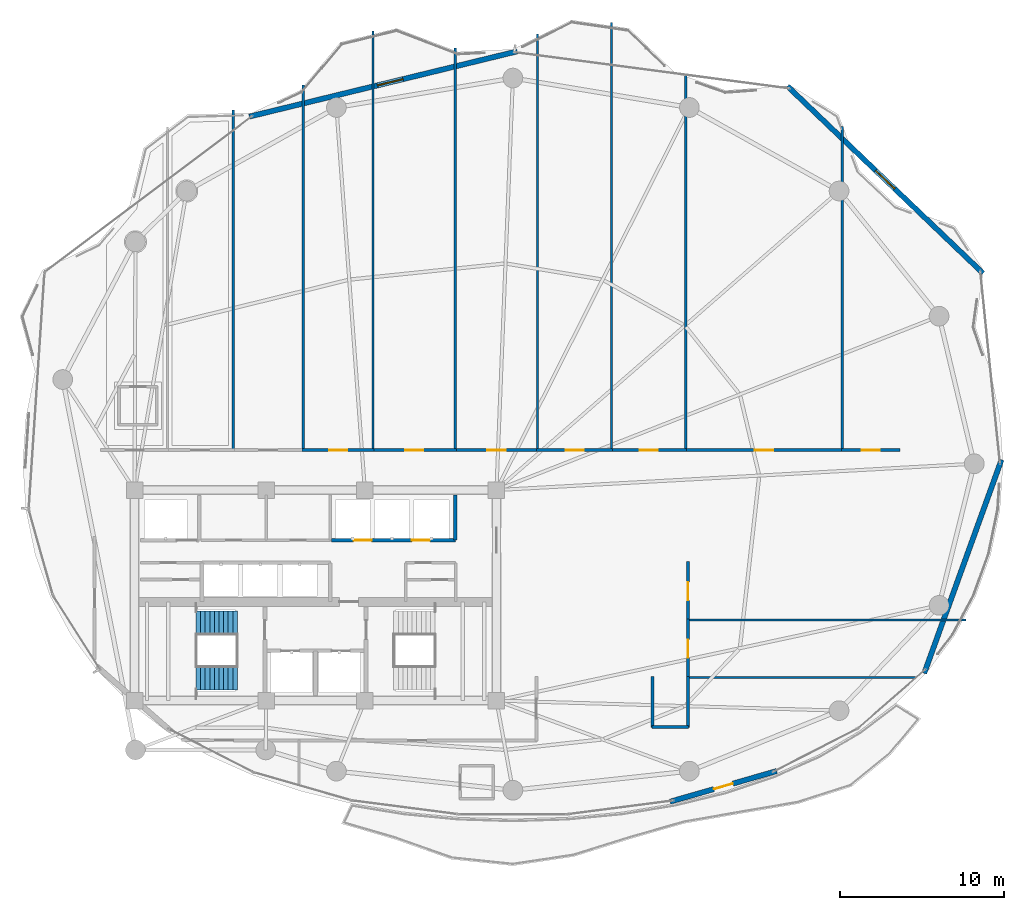
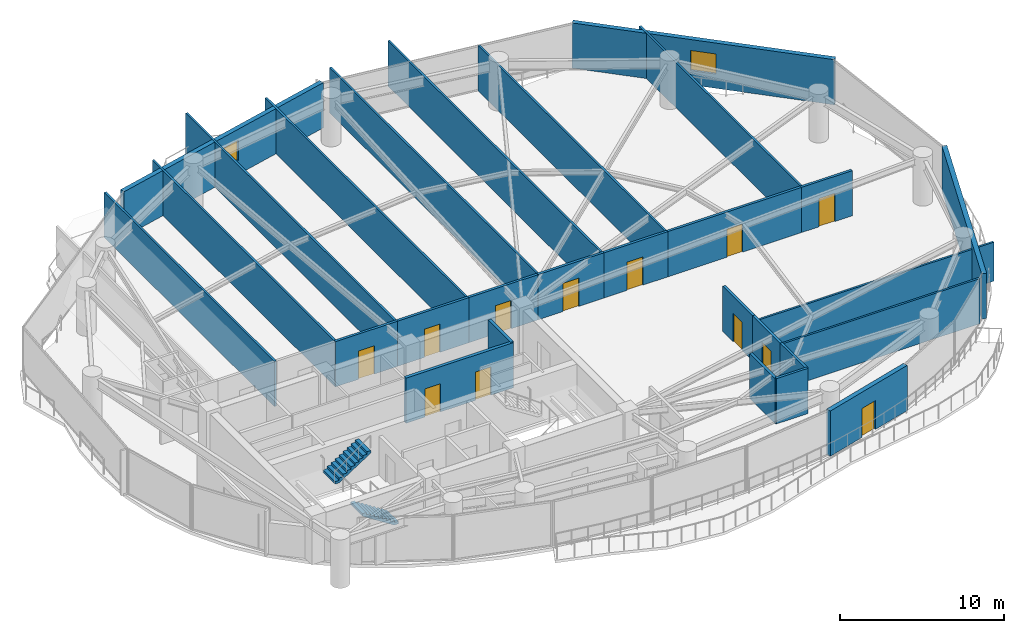
# One storey, part 26 of 30: 28 walls, 12 doors, 2 stair flights, 2 windows, 14 openings, 1 element without a shape of its own.
"""IFC4 building model written with IfcOpenShell, lengths in metres."""

import ifcopenshell
import ifcopenshell.guid

model = None  # the IFC model being written
_history = None  # IfcOwnerHistory: only IFC2X3 demands one
_inside = {}  # id of a spatial element -> (the spatial element, [elements in it])
_under = {}  # id of a project, library or spatial element -> (it, [spatial elements below it])
_declared = {}  # id of a project -> (the project, [libraries it declares])
_typed = {}  # id of a type object -> (the type object, [elements of that type])
_made_of = {}  # id of a material, layer set ... -> (it, [elements and type objects made of it])


def new_model(schema):
    """Start an empty IFC model of exactly this schema.

    Asked for "IFC4X3", IfcOpenShell would pick the latest addendum, in which some entities
    have other attributes; the version numbers below select the first issue.
    IFC2X3 requires an IfcOwnerHistory on every rooted entity: one is made here for all.
    """
    global model, _history
    if schema == "IFC4X3":
        model = ifcopenshell.file(schema_version=(4, 3, 0, 0))
    else:
        model = ifcopenshell.file(schema=schema)
    _inside.clear()
    _under.clear()
    _declared.clear()
    _typed.clear()
    _made_of.clear()
    _history = None
    if model.schema == "IFC2X3":
        org = make("IfcOrganization", Name="unknown")
        user = make(
            "IfcPersonAndOrganization",
            ThePerson=make("IfcPerson", FamilyName="unknown"),
            TheOrganization=org,
        )
        app = make(
            "IfcApplication",
            ApplicationDeveloper=org,
            Version="unknown",
            ApplicationFullName="unknown",
            ApplicationIdentifier="unknown",
        )
        _history = make(
            "IfcOwnerHistory",
            OwningUser=user,
            OwningApplication=app,
            ChangeAction="ADDED",
            CreationDate=0,
        )
    return model


def make(cls, **values):
    """One entity of the class cls with the attributes given. An attribute that is None is left unset."""
    return model.create_entity(
        cls, **{name: value for name, value in values.items() if value is not None}
    )


def rooted(cls, **values):
    """An entity with a GlobalId (a new one), such as an element, a storey or a relation."""
    return make(cls, GlobalId=ifcopenshell.guid.new(), OwnerHistory=_history, **values)


def si_unit(unit_type, name, prefix=None):
    """IfcSIUnit, for example si_unit("LENGTHUNIT", "METRE", prefix="MILLI")."""
    return make("IfcSIUnit", UnitType=unit_type, Prefix=prefix, Name=name)


def assignment(units):
    """IfcUnitAssignment: the units of a project."""
    return None if units is None else make("IfcUnitAssignment", Units=units)


def point(xyz):
    """IfcCartesianPoint."""
    return None if xyz is None else make("IfcCartesianPoint", Coordinates=xyz)


def direction(xyz):
    """IfcDirection."""
    return None if xyz is None else make("IfcDirection", DirectionRatios=xyz)


def frame(location, z_axis=None, x_axis=None):
    """IfcAxis2Placement3D, a coordinate frame: its origin and axes. An axis left out is left unset."""
    return make(
        "IfcAxis2Placement3D",
        Location=point(location),
        Axis=direction(z_axis),
        RefDirection=direction(x_axis),
    )


def frame_2d(location, x_axis=None):
    """IfcAxis2Placement2D, a coordinate frame in the plane: its origin and x axis."""
    return make(
        "IfcAxis2Placement2D", Location=point(location), RefDirection=direction(x_axis)
    )


def origin():
    """The frame at (0, 0, 0) with its axes left unset."""
    return frame((0.0, 0.0, 0.0))


def place(relative_to, where):
    """IfcLocalPlacement: puts the frame where relative to a parent placement (None: the world)."""
    return make(
        "IfcLocalPlacement", PlacementRelTo=relative_to, RelativePlacement=where
    )


def context(
    kind, dimensions, precision=None, world=None, true_north=None, identifier=None
):
    """IfcGeometricRepresentationContext, for example the 3D "Model" context."""
    return make(
        "IfcGeometricRepresentationContext",
        ContextIdentifier=identifier,
        ContextType=kind,
        CoordinateSpaceDimension=dimensions,
        Precision=precision,
        WorldCoordinateSystem=world,
        TrueNorth=true_north,
    )


def subcontext(parent, identifier, kind, view, scale=None):
    """IfcGeometricRepresentationSubContext, for example "Body" below "Model"."""
    return make(
        "IfcGeometricRepresentationSubContext",
        ContextIdentifier=identifier,
        ContextType=kind,
        ParentContext=parent,
        TargetScale=scale,
        TargetView=view,
    )


def project(units=None, contexts=None):
    """IfcProject with its units and contexts."""
    return rooted(
        "IfcProject",
        Name="project",
        RepresentationContexts=contexts,
        UnitsInContext=assignment(units),
    )


def spatial(cls, under=None, at=None, **own):
    """A site, building, storey or space (cls), placed at a placement, below another one or the project."""
    s = rooted(cls, ObjectPlacement=at, **own)
    if under is not None:
        _under.setdefault(under.id(), (under, []))[1].append(s)
    return s


def polyline(points):
    """IfcPolyline through the points."""
    return make("IfcPolyline", Points=[point(p) for p in points])


def profile(cls, at=None, kind="AREA", **sizes):
    """A parametric profile (cls). Its sizes go by their IFC names, for example OverallWidth=200.0."""
    return make(cls, ProfileType=kind, Position=at, **sizes)


def rectangle(**sizes):
    """IfcRectangleProfileDef."""
    return profile("IfcRectangleProfileDef", **sizes)


def outline(outer, holes=None, kind="AREA"):
    """IfcArbitraryClosedProfileDef: a profile drawn as a closed curve; with holes, ...WithVoids."""
    if holes is None:
        return make("IfcArbitraryClosedProfileDef", ProfileType=kind, OuterCurve=outer)
    return make(
        "IfcArbitraryProfileDefWithVoids",
        ProfileType=kind,
        OuterCurve=outer,
        InnerCurves=holes,
    )


def extrude(swept, where, along, depth):
    """IfcExtrudedAreaSolid: the profile swept, set in the frame where, extruded along a direction by depth."""
    return make(
        "IfcExtrudedAreaSolid",
        SweptArea=swept,
        Position=where,
        ExtrudedDirection=direction(along),
        Depth=depth,
    )


def shape(context_of_items, identifier, shape_type, items):
    """IfcShapeRepresentation: the items that make up one representation, for example the "Body"."""
    return make(
        "IfcShapeRepresentation",
        ContextOfItems=context_of_items,
        RepresentationIdentifier=identifier,
        RepresentationType=shape_type,
        Items=items,
    )


def material(Name=None, Category=None):
    """IfcMaterial."""
    return make("IfcMaterial", Name=Name, Category=Category)


def layer(
    of_material, thickness, ventilated=None, Name=None, Category=None, Priority=None
):
    """IfcMaterialLayer: one layer of a wall or slab, of a material (None: an air gap)."""
    return make(
        "IfcMaterialLayer",
        Material=of_material,
        LayerThickness=thickness,
        IsVentilated=ventilated,
        Name=Name,
        Category=Category,
        Priority=Priority,
    )


def layer_set(layers, Name=None):
    """IfcMaterialLayerSet."""
    return make("IfcMaterialLayerSet", MaterialLayers=layers, LayerSetName=Name)


def made_of(thing, what):
    """Note that an element or type object is made of a material, layer set ...; save() writes the relation."""
    if what is not None:
        _made_of.setdefault(what.id(), (what, []))[1].append(thing)
    return thing


def type_object(cls, material=None, **own):
    """A type object (cls), such as IfcWallType, which elements share."""
    return made_of(rooted(cls, **own), material)


def element(
    cls,
    number,
    at=None,
    inside=None,
    cuts=None,
    type_object=None,
    material=None,
    context=None,
    identifier="Body",
    shape_type=None,
    held_by="IfcProductDefinitionShape",
    body=None,
    shapes=None,
    **own,
):
    """One element of the class cls, such as IfcWall. Its Tag is "e" and its number.

    at: its placement. inside: the storey or other place that contains it. cuts: it is an
    opening in that element (IfcRelVoidsElement). A single representation is given by context,
    identifier, shape_type and body (its items); several are given by shapes. held_by: the class
    of the entity that holds the representations. save() writes the other relations.
    """
    e = rooted(cls, Tag="e%d" % number, ObjectPlacement=at, **own)
    if body is not None:
        shapes = [shape(context, identifier, shape_type, body)]
    if shapes is not None:
        e.Representation = make(held_by, Representations=shapes)
    if inside is not None:
        _inside.setdefault(inside.id(), (inside, []))[1].append(e)
    if cuts is not None:
        rooted(
            "IfcRelVoidsElement", RelatingBuildingElement=cuts, RelatedOpeningElement=e
        )
    if type_object is not None:
        _typed.setdefault(type_object.id(), (type_object, []))[1].append(e)
    return made_of(e, material)


def fill(opening, filler):
    """IfcRelFillsElement: the door or window that sits in an opening."""
    return rooted(
        "IfcRelFillsElement",
        RelatingOpeningElement=opening,
        RelatedBuildingElement=filler,
    )


def aggregate(whole, parts):
    """IfcRelAggregates: a whole, such as a stair, and the parts it consists of."""
    return rooted("IfcRelAggregates", RelatingObject=whole, RelatedObjects=parts)


def save(model, path):
    """Write the relations noted so far, then the file.

    IfcRelAggregates (storeys below a building ...), IfcRelContainedInSpatialStructure (elements
    in a storey), IfcRelDefinesByType, IfcRelAssociatesMaterial and IfcRelDeclares: one each for
    every whole, place, type object, material and project.
    """
    for whole, parts in _under.values():
        aggregate(whole, parts)
    for where, things in _inside.values():
        rooted(
            "IfcRelContainedInSpatialStructure",
            RelatedElements=things,
            RelatingStructure=where,
        )
    for kind, things in _typed.values():
        rooted("IfcRelDefinesByType", RelatedObjects=things, RelatingType=kind)
    for what, things in _made_of.values():
        rooted("IfcRelAssociatesMaterial", RelatedObjects=things, RelatingMaterial=what)
    for by, libraries in _declared.values():
        rooted("IfcRelDeclares", RelatingContext=by, RelatedDefinitions=libraries)
    model.write(path)


model = new_model("IFC4")

# Units and contexts
model_context = context("Model", 3, precision=1e-05, world=origin(), true_north=direction((0.0, 1.0)))
body_context = subcontext(model_context, "Body", "Model", "MODEL_VIEW")
ifc_project = project(units=[si_unit("LENGTHUNIT", "METRE"), si_unit("AREAUNIT", "SQUARE_METRE"), si_unit("VOLUMEUNIT", "CUBIC_METRE"), si_unit("PLANEANGLEUNIT", "RADIAN"), si_unit("MASSUNIT", "GRAM", prefix="KILO")], contexts=[model_context])

# Site, building, storey
site_placement = place(None, origin())
site = spatial("IfcSite", under=ifc_project, at=site_placement, CompositionType="ELEMENT")
building_placement = place(site_placement, origin())
building = spatial("IfcBuilding", under=site, at=building_placement, Name="Kazevale Care Tower and Concert Hall", CompositionType="ELEMENT")
storey_placement = place(building_placement, frame((0.0, 0.0, 113.39990234375)))
storey = spatial("IfcBuildingStorey", under=building, at=storey_placement, Name="L29", CompositionType="ELEMENT", Elevation=113.39990234375)

# Walls
ifc_material_1 = material(Name="Acoustic Gypsum on Steel Stud", Category="steel")
ifc_layer_1 = layer(ifc_material_1, 0.139892578125)
ifc_layer_set_1 = layer_set([ifc_layer_1], Name="Acoustic Gypsum on Steel Stud")
wall_type_1 = type_object("IfcWallType", Name="Acoustic Care & Suite Partition 140", PredefinedType="PARTITIONING", material=ifc_layer_set_1)
wall_1_placement = place(storey_placement, frame((28.0, 59.5048828125, 0.0), z_axis=(0.0, 0.0, 1.0), x_axis=(0.0, -1.0, 0.0)))
element("IfcWall", 1, at=wall_1_placement, inside=storey, type_object=wall_type_1, Name="wall:L29:auto_021", PredefinedType="PARTITIONING", context=body_context, shape_type="SweptSolid", body=[
    extrude(rectangle(XDim=20.7099609375, YDim=0.139892578125, at=frame_2d((10.35498046875, 0.0))), origin(), (0.0, 0.0, 1.0), 3.360107421875),
])
wall_2_placement = place(storey_placement, frame((32.25, 61.01904296875, 0.0), z_axis=(0.0, 0.0, 1.0), x_axis=(0.0, -1.0, 0.0)))
element("IfcWall", 2, at=wall_2_placement, inside=storey, type_object=wall_type_1, Name="wall:L29:auto_022", PredefinedType="PARTITIONING", context=body_context, shape_type="SweptSolid", body=[
    extrude(rectangle(XDim=22.22412109375, YDim=0.139892578125, at=frame_2d((11.112060546875, 0.0))), origin(), (0.0, 0.0, 1.0), 3.360107421875),
])
wall_3_placement = place(storey_placement, frame((36.5, 64.31005859375, 0.0), z_axis=(0.0, 0.0, 1.0), x_axis=(0.0, -1.0, 0.0)))
element("IfcWall", 3, at=wall_3_placement, inside=storey, type_object=wall_type_1, Name="wall:L29:auto_023", PredefinedType="PARTITIONING", context=body_context, shape_type="SweptSolid", body=[
    extrude(rectangle(XDim=25.51513671875, YDim=0.139892578125, at=frame_2d((12.757568359375, 0.0))), origin(), (0.0, 0.0, 1.0), 3.360107421875),
])
wall_4_placement = place(storey_placement, frame((41.5, 63.291015625, 0.0), z_axis=(0.0, 0.0, 1.0), x_axis=(0.0, -1.0, 0.0)))
element("IfcWall", 4, at=wall_4_placement, inside=storey, type_object=wall_type_1, Name="wall:L29:auto_024", PredefinedType="PARTITIONING", context=body_context, shape_type="SweptSolid", body=[
    extrude(rectangle(XDim=24.49609375, YDim=0.139892578125, at=frame_2d((12.248046875, 0.0))), origin(), (0.0, 0.0, 1.0), 3.360107421875),
])
wall_5_placement = place(storey_placement, frame((46.5, 64.12890625, 0.0), z_axis=(0.0, 0.0, 1.0), x_axis=(0.0, -1.0, 0.0)))
element("IfcWall", 5, at=wall_5_placement, inside=storey, type_object=wall_type_1, Name="wall:L29:auto_025", PredefinedType="PARTITIONING", context=body_context, shape_type="SweptSolid", body=[
    extrude(rectangle(XDim=25.333984375, YDim=0.139892578125, at=frame_2d((12.6669921875, 0.0))), origin(), (0.0, 0.0, 1.0), 3.360107421875),
])
wall_6_placement = place(storey_placement, frame((51.0, 64.822021484375, 0.0), z_axis=(0.0, 0.0, 1.0), x_axis=(0.0, -1.0, 0.0)))
element("IfcWall", 6, at=wall_6_placement, inside=storey, type_object=wall_type_1, Name="wall:L29:auto_026", PredefinedType="PARTITIONING", context=body_context, shape_type="SweptSolid", body=[
    extrude(rectangle(XDim=26.027099609375, YDim=0.139892578125, at=frame_2d((13.013671875, 0.0))), origin(), (0.0, 0.0, 1.0), 3.360107421875),
])
wall_7_placement = place(storey_placement, frame((55.5, 61.6328125, 0.0), z_axis=(0.0, 0.0, 1.0), x_axis=(0.0, -1.0, 0.0)))
element("IfcWall", 7, at=wall_7_placement, inside=storey, type_object=wall_type_1, Name="wall:L29:auto_027", PredefinedType="PARTITIONING", context=body_context, shape_type="SweptSolid", body=[
    extrude(rectangle(XDim=22.837890625, YDim=0.139892578125, at=frame_2d((11.4189453125, 0.0))), origin(), (0.0, 0.0, 1.0), 3.360107421875),
])
wall_8_placement = place(storey_placement, frame((65.01708984375, 58.5009765625, 0.0), z_axis=(0.0, 0.0, 1.0), x_axis=(0.000656623081, -0.999999784423, 0.0)))
element("IfcWall", 8, at=wall_8_placement, inside=storey, type_object=wall_type_1, Name="wall:L29:auto_028", PredefinedType="PARTITIONING", context=body_context, shape_type="SweptSolid", body=[
    extrude(rectangle(XDim=19.7060546875, YDim=0.139892578125, at=frame_2d((9.85302734375, 0.0))), origin(), (0.0, 0.0, 1.0), 3.360107421875),
])
wall_9_placement = place(storey_placement, frame((55.6201171875, 25.0, 0.0), z_axis=(0.0, 0.0, 1.0), x_axis=(1.0, 0.0, 0.0)))
element("IfcWall", 9, at=wall_9_placement, inside=storey, type_object=wall_type_1, Name="wall:L29:auto_029", PredefinedType="PARTITIONING", context=body_context, shape_type="SweptSolid", body=[
    extrude(rectangle(XDim=13.891357421875, YDim=0.139892578125, at=frame_2d((6.94580078125, 0.0))), origin(), (0.0, 0.0, 1.0), 3.360107421875),
])
wall_10_placement = place(storey_placement, frame((55.6201171875, 28.5, 0.0), z_axis=(0.0, 0.0, 1.0), x_axis=(1.0, 0.0, 0.0)))
element("IfcWall", 10, at=wall_10_placement, inside=storey, type_object=wall_type_1, Name="wall:L29:auto_030", PredefinedType="PARTITIONING", context=body_context, shape_type="SweptSolid", body=[
    extrude(rectangle(XDim=16.914794921875, YDim=0.139892578125, at=frame_2d((8.45751953125, 0.0))), origin(), (0.0, 0.0, 1.0), 2.89013671875),
])

# Wall, openings, doors
ifc_material_2 = material(Name="Concrete C40", Category="concrete")
ifc_layer_2 = layer(ifc_material_2, 0.219970703125)
ifc_layer_set_2 = layer_set([ifc_layer_2], Name="Concrete C40")
wall_type_2 = type_object("IfcWallType", Name="Elevator Hoistway Shaft Wall 220", PredefinedType="SOLIDWALL", material=ifc_layer_set_2)
wall_11_placement = place(storey_placement, frame((33.97998046875, 33.35009765625, 0.0), z_axis=(0.0, 0.0, 1.0), x_axis=(1.0, 0.0, 0.0)))
wall_11 = element("IfcWall", 11, at=wall_11_placement, inside=storey, type_object=wall_type_2, Name="wall:L29:c_pm_s", PredefinedType="SOLIDWALL", context=body_context, shape_type="SweptSolid", body=[
    extrude(rectangle(XDim=7.5400390625, YDim=0.219970703125, at=frame_2d((3.77001953125, 0.0))), origin(), (0.0, 0.0, 1.0), 3.360107421875),
])
opening_1_placement = place(wall_11_placement, frame((1.3349609375, 0.0, 0.0)))
opening_1 = element("IfcOpeningElement", 12, at=opening_1_placement, cuts=wall_11, Name="Opening LD-PAX", PredefinedType="OPENING", context=body_context, shape_type="SweptSolid", body=[
    extrude(rectangle(XDim=1.10009765625, YDim=2.10009765625, at=frame_2d((0.550048828125, 1.050048828125))), frame((0.0, 0.119873046875, 0.0), z_axis=(0.0, -1.0, 0.0), x_axis=(1.0, 0.0, 0.0)), (0.0, 0.0, 1.0), 0.239990234375),
])
opening_2_placement = place(wall_11_placement, frame((4.87890625, 0.0, 0.0)))
opening_2 = element("IfcOpeningElement", 13, at=opening_2_placement, cuts=wall_11, Name="Opening LD-PAX", PredefinedType="OPENING", context=body_context, shape_type="SweptSolid", body=[
    extrude(rectangle(XDim=1.10009765625, YDim=2.10009765625, at=frame_2d((0.550048828125, 1.050048828125))), frame((0.0, 0.119873046875, 0.0), z_axis=(0.0, -1.0, 0.0), x_axis=(1.0, 0.0, 0.0)), (0.0, 0.0, 1.0), 0.239990234375),
])
ifc_material_3 = material(Name="Stainless Steel 316", Category="steel")
door_type_1 = type_object("IfcDoorType", Name="Passenger Lift Sliding Landing Door 1100x2100", OperationType="NOTDEFINED", PredefinedType="DOOR", material=ifc_material_3)
door_1_placement = place(opening_1_placement, origin())
door_1 = element("IfcDoor", 14, at=door_1_placement, inside=storey, type_object=door_type_1, Name="door:L29:ld_pm1", OperationType="SLIDING_TO_LEFT", OverallHeight=2.10009765625, OverallWidth=1.10009765625, PredefinedType="DOOR", context=body_context, shape_type="SweptSolid", body=[
    extrude(rectangle(XDim=1.10009765625, YDim=2.10009765625, at=frame_2d((0.550048828125, 1.050048828125))), frame((0.0, 0.02490234375, 0.0), z_axis=(0.0, -1.0, 0.0), x_axis=(1.0, 0.0, 0.0)), (0.0, 0.0, 1.0), 0.050048828125),
])
fill(opening_1, door_1)
door_2_placement = place(opening_2_placement, origin())
door_2 = element("IfcDoor", 15, at=door_2_placement, inside=storey, type_object=door_type_1, Name="door:L29:ld_pm2", OperationType="SLIDING_TO_RIGHT", OverallHeight=2.10009765625, OverallWidth=1.10009765625, PredefinedType="DOOR", context=body_context, shape_type="SweptSolid", body=[
    extrude(rectangle(XDim=1.10009765625, YDim=2.10009765625, at=frame_2d((0.550048828125, 1.050048828125))), frame((0.0, 0.02490234375, 0.0), z_axis=(0.0, -1.0, 0.0), x_axis=(1.0, 0.0, 0.0)), (0.0, 0.0, 1.0), 0.050048828125),
])
fill(opening_2, door_2)

# Wall
wall_12_placement = place(storey_placement, frame((41.5, 33.35009765625, 0.0), z_axis=(0.0, 0.0, 1.0), x_axis=(0.0, 1.0, 0.0)))
element("IfcWall", 16, at=wall_12_placement, inside=storey, type_object=wall_type_2, Name="wall:L29:c_pm_e", PredefinedType="SOLIDWALL", context=body_context, shape_type="SweptSolid", body=[
    extrude(rectangle(XDim=2.75, YDim=0.219970703125, at=frame_2d((1.375, 0.0))), origin(), (0.0, 0.0, 1.0), 3.360107421875),
])

# Wall, opening, door
ifc_material_4 = material(Name="Concrete C40 and Acoustic Gypsum", Category="concrete")
ifc_layer_3 = layer(ifc_material_4, 0.179931640625)
ifc_layer_set_3 = layer_set([ifc_layer_3], Name="Concrete C40 and Acoustic Gypsum")
wall_type_3 = type_object("IfcWallType", Name="Fire-Rated Corridor & Party Wall 180", PredefinedType="PARTITIONING", material=ifc_layer_set_3)
wall_13_placement = place(storey_placement, frame((32.18505859375, 38.824951171875, 0.0), z_axis=(0.0, 0.0, 1.0), x_axis=(1.0, 0.0, 0.0)))
wall_13 = element("IfcWall", 17, at=wall_13_placement, inside=storey, type_object=wall_type_3, Name="wall:L29:auto_004", PredefinedType="PARTITIONING", context=body_context, shape_type="SweptSolid", body=[
    extrude(rectangle(XDim=4.3798828125, YDim=0.179931640625, at=frame_2d((2.18994140625, 0.0))), origin(), (0.0, 0.0, 1.0), 3.360107421875),
])
opening_3_placement = place(wall_13_placement, frame((1.639892578125, 0.0, 0.0)))
opening_3 = element("IfcOpeningElement", 18, at=opening_3_placement, cuts=wall_13, Name="Opening ID-1100", PredefinedType="OPENING", context=body_context, shape_type="SweptSolid", body=[
    extrude(rectangle(XDim=1.10009765625, YDim=2.10009765625, at=frame_2d((0.550048828125, 1.050048828125))), frame((0.0, 0.099853515625, 0.0), z_axis=(0.0, -1.0, 0.0), x_axis=(1.0, 0.0, 0.0)), (0.0, 0.0, 1.0), 0.199951171875),
])
ifc_material_5 = material(Name="Oak Timber Fire Leaf", Category="wood")
door_type_2 = type_object("IfcDoorType", Name="Care Bedroom Accessible Door 1100x2100", OperationType="NOTDEFINED", PredefinedType="DOOR", material=ifc_material_5)
door_3_placement = place(opening_3_placement, origin())
door_3 = element("IfcDoor", 19, at=door_3_placement, inside=storey, type_object=door_type_2, Name="door:L29:ad_004", OperationType="SINGLE_SWING_LEFT", OverallHeight=2.10009765625, OverallWidth=1.10009765625, PredefinedType="DOOR", context=body_context, shape_type="SweptSolid", body=[
    extrude(rectangle(XDim=1.10009765625, YDim=2.10009765625, at=frame_2d((0.550048828125, 1.050048828125))), frame((0.0, 0.02490234375, 0.0), z_axis=(0.0, -1.0, 0.0), x_axis=(1.0, 0.0, 0.0)), (0.0, 0.0, 1.0), 0.050048828125),
])
fill(opening_3, door_3)

wall_14_placement = place(storey_placement, frame((36.43505859375, 38.824951171875, 0.0), z_axis=(0.0, 0.0, 1.0), x_axis=(1.0, 0.0, 0.0)))
wall_14 = element("IfcWall", 20, at=wall_14_placement, inside=storey, type_object=wall_type_3, Name="wall:L29:auto_005", PredefinedType="PARTITIONING", context=body_context, shape_type="SweptSolid", body=[
    extrude(rectangle(XDim=5.1298828125, YDim=0.179931640625, at=frame_2d((2.56494140625, 0.0))), origin(), (0.0, 0.0, 1.0), 3.360107421875),
])
opening_4_placement = place(wall_14_placement, frame((2.014892578125, 0.0, 0.0)))
opening_4 = element("IfcOpeningElement", 21, at=opening_4_placement, cuts=wall_14, Name="Opening ID-1100", PredefinedType="OPENING", context=body_context, shape_type="SweptSolid", body=[
    extrude(rectangle(XDim=1.10009765625, YDim=2.10009765625, at=frame_2d((0.550048828125, 1.050048828125))), frame((0.0, 0.099853515625, 0.0), z_axis=(0.0, -1.0, 0.0), x_axis=(1.0, 0.0, 0.0)), (0.0, 0.0, 1.0), 0.199951171875),
])
door_4_placement = place(opening_4_placement, origin())
door_4 = element("IfcDoor", 22, at=door_4_placement, inside=storey, type_object=door_type_2, Name="door:L29:ad_005", OperationType="SINGLE_SWING_LEFT", OverallHeight=2.10009765625, OverallWidth=1.10009765625, PredefinedType="DOOR", context=body_context, shape_type="SweptSolid", body=[
    extrude(rectangle(XDim=1.10009765625, YDim=2.10009765625, at=frame_2d((0.550048828125, 1.050048828125))), frame((0.0, 0.02490234375, 0.0), z_axis=(0.0, -1.0, 0.0), x_axis=(1.0, 0.0, 0.0)), (0.0, 0.0, 1.0), 0.050048828125),
])
fill(opening_4, door_4)

wall_15_placement = place(storey_placement, frame((41.43505859375, 38.824951171875, 0.0), z_axis=(0.0, 0.0, 1.0), x_axis=(1.0, 0.0, 0.0)))
wall_15 = element("IfcWall", 23, at=wall_15_placement, inside=storey, type_object=wall_type_3, Name="wall:L29:auto_006", PredefinedType="PARTITIONING", context=body_context, shape_type="SweptSolid", body=[
    extrude(rectangle(XDim=5.1298828125, YDim=0.179931640625, at=frame_2d((2.56494140625, 0.0))), origin(), (0.0, 0.0, 1.0), 3.360107421875),
])
opening_5_placement = place(wall_15_placement, frame((2.014892578125, 0.0, 0.0)))
opening_5 = element("IfcOpeningElement", 24, at=opening_5_placement, cuts=wall_15, Name="Opening ID-1100", PredefinedType="OPENING", context=body_context, shape_type="SweptSolid", body=[
    extrude(rectangle(XDim=1.10009765625, YDim=2.10009765625, at=frame_2d((0.550048828125, 1.050048828125))), frame((0.0, 0.099853515625, 0.0), z_axis=(0.0, -1.0, 0.0), x_axis=(1.0, 0.0, 0.0)), (0.0, 0.0, 1.0), 0.199951171875),
])
door_5_placement = place(opening_5_placement, origin())
door_5 = element("IfcDoor", 25, at=door_5_placement, inside=storey, type_object=door_type_2, Name="door:L29:ad_006", OperationType="SINGLE_SWING_LEFT", OverallHeight=2.10009765625, OverallWidth=1.10009765625, PredefinedType="DOOR", context=body_context, shape_type="SweptSolid", body=[
    extrude(rectangle(XDim=1.10009765625, YDim=2.10009765625, at=frame_2d((0.550048828125, 1.050048828125))), frame((0.0, 0.02490234375, 0.0), z_axis=(0.0, -1.0, 0.0), x_axis=(1.0, 0.0, 0.0)), (0.0, 0.0, 1.0), 0.050048828125),
])
fill(opening_5, door_5)

wall_16_placement = place(storey_placement, frame((46.43505859375, 38.824951171875, 0.0), z_axis=(0.0, 0.0, 1.0), x_axis=(1.0, 0.0, 0.0)))
wall_16 = element("IfcWall", 26, at=wall_16_placement, inside=storey, type_object=wall_type_3, Name="wall:L29:auto_007", PredefinedType="PARTITIONING", context=body_context, shape_type="SweptSolid", body=[
    extrude(rectangle(XDim=4.6298828125, YDim=0.179931640625, at=frame_2d((2.31494140625, 0.0))), origin(), (0.0, 0.0, 1.0), 3.360107421875),
])
opening_6_placement = place(wall_16_placement, frame((1.764892578125, 0.0, 0.0)))
opening_6 = element("IfcOpeningElement", 27, at=opening_6_placement, cuts=wall_16, Name="Opening ID-1100", PredefinedType="OPENING", context=body_context, shape_type="SweptSolid", body=[
    extrude(rectangle(XDim=1.10009765625, YDim=2.10009765625, at=frame_2d((0.550048828125, 1.050048828125))), frame((0.0, 0.099853515625, 0.0), z_axis=(0.0, -1.0, 0.0), x_axis=(1.0, 0.0, 0.0)), (0.0, 0.0, 1.0), 0.199951171875),
])
door_6_placement = place(opening_6_placement, origin())
door_6 = element("IfcDoor", 28, at=door_6_placement, inside=storey, type_object=door_type_2, Name="door:L29:ad_007", OperationType="SINGLE_SWING_LEFT", OverallHeight=2.10009765625, OverallWidth=1.10009765625, PredefinedType="DOOR", context=body_context, shape_type="SweptSolid", body=[
    extrude(rectangle(XDim=1.10009765625, YDim=2.10009765625, at=frame_2d((0.550048828125, 1.050048828125))), frame((0.0, 0.02490234375, 0.0), z_axis=(0.0, -1.0, 0.0), x_axis=(1.0, 0.0, 0.0)), (0.0, 0.0, 1.0), 0.050048828125),
])
fill(opening_6, door_6)

wall_17_placement = place(storey_placement, frame((50.93505859375, 38.824951171875, 0.0), z_axis=(0.0, 0.0, 1.0), x_axis=(1.0, 0.0, 0.0)))
wall_17 = element("IfcWall", 29, at=wall_17_placement, inside=storey, type_object=wall_type_3, Name="wall:L29:auto_008", PredefinedType="PARTITIONING", context=body_context, shape_type="SweptSolid", body=[
    extrude(rectangle(XDim=4.6298828125, YDim=0.179931640625, at=frame_2d((2.31494140625, 0.0))), origin(), (0.0, 0.0, 1.0), 3.360107421875),
])
opening_7_placement = place(wall_17_placement, frame((1.764892578125, 0.0, 0.0)))
opening_7 = element("IfcOpeningElement", 30, at=opening_7_placement, cuts=wall_17, Name="Opening ID-1100", PredefinedType="OPENING", context=body_context, shape_type="SweptSolid", body=[
    extrude(rectangle(XDim=1.10009765625, YDim=2.10009765625, at=frame_2d((0.550048828125, 1.050048828125))), frame((0.0, 0.099853515625, 0.0), z_axis=(0.0, -1.0, 0.0), x_axis=(1.0, 0.0, 0.0)), (0.0, 0.0, 1.0), 0.199951171875),
])
door_7_placement = place(opening_7_placement, origin())
door_7 = element("IfcDoor", 31, at=door_7_placement, inside=storey, type_object=door_type_2, Name="door:L29:ad_008", OperationType="SINGLE_SWING_LEFT", OverallHeight=2.10009765625, OverallWidth=1.10009765625, PredefinedType="DOOR", context=body_context, shape_type="SweptSolid", body=[
    extrude(rectangle(XDim=1.10009765625, YDim=2.10009765625, at=frame_2d((0.550048828125, 1.050048828125))), frame((0.0, 0.02490234375, 0.0), z_axis=(0.0, -1.0, 0.0), x_axis=(1.0, 0.0, 0.0)), (0.0, 0.0, 1.0), 0.050048828125),
])
fill(opening_7, door_7)

wall_18_placement = place(storey_placement, frame((55.43505859375, 38.824951171875, 0.0), z_axis=(0.0, 0.0, 1.0), x_axis=(1.0, 0.0, 0.0)))
wall_18 = element("IfcWall", 32, at=wall_18_placement, inside=storey, type_object=wall_type_3, Name="wall:L29:auto_009", PredefinedType="PARTITIONING", context=body_context, shape_type="SweptSolid", body=[
    extrude(rectangle(XDim=9.659912109375, YDim=0.179931640625, at=frame_2d((4.830078125, 0.0))), origin(), (0.0, 0.0, 1.0), 3.360107421875),
])
opening_8_placement = place(wall_18_placement, frame((4.280029296875, 0.0, 0.0)))
opening_8 = element("IfcOpeningElement", 33, at=opening_8_placement, cuts=wall_18, Name="Opening ID-1100", PredefinedType="OPENING", context=body_context, shape_type="SweptSolid", body=[
    extrude(rectangle(XDim=1.10009765625, YDim=2.10009765625, at=frame_2d((0.550048828125, 1.050048828125))), frame((0.0, 0.099853515625, 0.0), z_axis=(0.0, -1.0, 0.0), x_axis=(1.0, 0.0, 0.0)), (0.0, 0.0, 1.0), 0.199951171875),
])
door_8_placement = place(opening_8_placement, origin())
door_8 = element("IfcDoor", 34, at=door_8_placement, inside=storey, type_object=door_type_2, Name="door:L29:ad_009", OperationType="SINGLE_SWING_LEFT", OverallHeight=2.10009765625, OverallWidth=1.10009765625, PredefinedType="DOOR", context=body_context, shape_type="SweptSolid", body=[
    extrude(rectangle(XDim=1.10009765625, YDim=2.10009765625, at=frame_2d((0.550048828125, 1.050048828125))), frame((0.0, 0.02490234375, 0.0), z_axis=(0.0, -1.0, 0.0), x_axis=(1.0, 0.0, 0.0)), (0.0, 0.0, 1.0), 0.050048828125),
])
fill(opening_8, door_8)

wall_19_placement = place(storey_placement, frame((64.965087890625, 38.824951171875, 0.0), z_axis=(0.0, 0.0, 1.0), x_axis=(1.0, 0.0, 0.0)))
wall_19 = element("IfcWall", 35, at=wall_19_placement, inside=storey, type_object=wall_type_3, Name="wall:L29:auto_010", PredefinedType="PARTITIONING", context=body_context, shape_type="SweptSolid", body=[
    extrude(rectangle(XDim=3.56494140625, YDim=0.179931640625, at=frame_2d((1.782470703125, 0.0))), origin(), (0.0, 0.0, 1.0), 3.360107421875),
])
opening_9_placement = place(wall_19_placement, frame((1.23193359375, 0.0, 0.0)))
opening_9 = element("IfcOpeningElement", 36, at=opening_9_placement, cuts=wall_19, Name="Opening ID-1100", PredefinedType="OPENING", context=body_context, shape_type="SweptSolid", body=[
    extrude(rectangle(XDim=1.10009765625, YDim=2.10009765625, at=frame_2d((0.550048828125, 1.050048828125))), frame((0.0, 0.099853515625, 0.0), z_axis=(0.0, -1.0, 0.0), x_axis=(1.0, 0.0, 0.0)), (0.0, 0.0, 1.0), 0.199951171875),
])
door_9_placement = place(opening_9_placement, origin())
door_9 = element("IfcDoor", 37, at=door_9_placement, inside=storey, type_object=door_type_2, Name="door:L29:ad_010", OperationType="SINGLE_SWING_LEFT", OverallHeight=2.10009765625, OverallWidth=1.10009765625, PredefinedType="DOOR", context=body_context, shape_type="SweptSolid", body=[
    extrude(rectangle(XDim=1.10009765625, YDim=2.10009765625, at=frame_2d((0.550048828125, 1.050048828125))), frame((0.0, 0.02490234375, 0.0), z_axis=(0.0, -1.0, 0.0), x_axis=(1.0, 0.0, 0.0)), (0.0, 0.0, 1.0), 0.050048828125),
])
fill(opening_9, door_9)

# Walls
for number, where, z_axis, x_axis, name in (
    (38, (55.64990234375, 25.06494140625, 0.0), (0.0, 0.0, 1.0), (0.0, -1.0, 0.0), "wall:L29:auto_012"),
    (39, (53.5, 21.969970703125, 0.0), (0.0, 0.0, 1.0), (0.0, 1.0, 0.0), "wall:L29:auto_013"),
):
    element("IfcWall", number, at=place(storey_placement, frame(where, z_axis=z_axis, x_axis=x_axis)), inside=storey, type_object=wall_type_3, Name=name, PredefinedType="PARTITIONING", context=body_context, shape_type="SweptSolid", body=[
        extrude(rectangle(XDim=3.094970703125, YDim=0.179931640625, at=frame_2d((1.54736328125, 0.0))), origin(), (0.0, 0.0, 1.0), 3.360107421875),
    ])
wall_20_placement = place(storey_placement, frame((55.679931640625, 22.0, 0.0), z_axis=(0.0, 0.0, 1.0), x_axis=(-1.0, 0.0, 0.0)))
element("IfcWall", 40, at=wall_20_placement, inside=storey, type_object=wall_type_3, Name="wall:L29:auto_014", PredefinedType="PARTITIONING", context=body_context, shape_type="SweptSolid", body=[
    extrude(rectangle(XDim=2.2099609375, YDim=0.179931640625, at=frame_2d((1.10498046875, 0.0))), origin(), (0.0, 0.0, 1.0), 3.360107421875),
])

# Wall, opening, door
wall_21_placement = place(storey_placement, frame((55.64990234375, 28.56494140625, 0.0), z_axis=(0.0, 0.0, 1.0), x_axis=(0.0, -1.0, 0.0)))
wall_21 = element("IfcWall", 41, at=wall_21_placement, inside=storey, type_object=wall_type_3, Name="wall:L29:auto_015", PredefinedType="PARTITIONING", context=body_context, shape_type="SweptSolid", body=[
    extrude(rectangle(XDim=3.6298828125, YDim=0.179931640625, at=frame_2d((1.81494140625, 0.0))), origin(), (0.0, 0.0, 1.0), 3.360107421875),
])
opening_10_placement = place(wall_21_placement, frame((1.264892578125, 0.0, 0.0)))
opening_10 = element("IfcOpeningElement", 42, at=opening_10_placement, cuts=wall_21, Name="Opening ID-1100", PredefinedType="OPENING", context=body_context, shape_type="SweptSolid", body=[
    extrude(rectangle(XDim=1.10009765625, YDim=2.10009765625, at=frame_2d((0.550048828125, 1.050048828125))), frame((0.0, 0.099853515625, 0.0), z_axis=(0.0, -1.0, 0.0), x_axis=(1.0, 0.0, 0.0)), (0.0, 0.0, 1.0), 0.199951171875),
])
door_10_placement = place(opening_10_placement, origin())
door_10 = element("IfcDoor", 43, at=door_10_placement, inside=storey, type_object=door_type_2, Name="door:L29:ad_015", OperationType="SINGLE_SWING_LEFT", OverallHeight=2.10009765625, OverallWidth=1.10009765625, PredefinedType="DOOR", context=body_context, shape_type="SweptSolid", body=[
    extrude(rectangle(XDim=1.10009765625, YDim=2.10009765625, at=frame_2d((0.550048828125, 1.050048828125))), frame((0.0, 0.02490234375, 0.0), z_axis=(0.0, -1.0, 0.0), x_axis=(1.0, 0.0, 0.0)), (0.0, 0.0, 1.0), 0.050048828125),
])
fill(opening_10, door_10)

wall_22_placement = place(storey_placement, frame((55.64990234375, 32.06494140625, 0.0), z_axis=(0.0, 0.0, 1.0), x_axis=(0.0, -1.0, 0.0)))
wall_22 = element("IfcWall", 44, at=wall_22_placement, inside=storey, type_object=wall_type_3, Name="wall:L29:auto_016", PredefinedType="PARTITIONING", context=body_context, shape_type="SweptSolid", body=[
    extrude(rectangle(XDim=3.6298828125, YDim=0.179931640625, at=frame_2d((1.81494140625, 0.0))), origin(), (0.0, 0.0, 1.0), 3.360107421875),
])
opening_11_placement = place(wall_22_placement, frame((1.264892578125, 0.0, 0.0)))
opening_11 = element("IfcOpeningElement", 45, at=opening_11_placement, cuts=wall_22, Name="Opening ID-1100", PredefinedType="OPENING", context=body_context, shape_type="SweptSolid", body=[
    extrude(rectangle(XDim=1.10009765625, YDim=2.10009765625, at=frame_2d((0.550048828125, 1.050048828125))), frame((0.0, 0.099853515625, 0.0), z_axis=(0.0, -1.0, 0.0), x_axis=(1.0, 0.0, 0.0)), (0.0, 0.0, 1.0), 0.199951171875),
])
door_11_placement = place(opening_11_placement, origin())
door_11 = element("IfcDoor", 46, at=door_11_placement, inside=storey, type_object=door_type_2, Name="door:L29:ad_016", OperationType="SINGLE_SWING_LEFT", OverallHeight=2.10009765625, OverallWidth=1.10009765625, PredefinedType="DOOR", context=body_context, shape_type="SweptSolid", body=[
    extrude(rectangle(XDim=1.10009765625, YDim=2.10009765625, at=frame_2d((0.550048828125, 1.050048828125))), frame((0.0, 0.02490234375, 0.0), z_axis=(0.0, -1.0, 0.0), x_axis=(1.0, 0.0, 0.0)), (0.0, 0.0, 1.0), 0.050048828125),
])
fill(opening_11, door_11)

# Wall
ifc_material_6 = material(Name="Concrete C40 with Honed Limestone Cladding", Category="masonry")
ifc_layer_4 = layer(ifc_material_6, 0.320068359375)
ifc_layer_set_4 = layer_set([ifc_layer_4], Name="Concrete C40 with Honed Limestone Cladding")
wall_type_4 = type_object("IfcWallType", Name="Tower Honed Limestone Spandrel Wall 320", PredefinedType="STANDARD", material=ifc_layer_set_4)
wall_23_placement = place(storey_placement, frame((74.7080078125, 38.243896484375, 0.0), z_axis=(0.0, 0.0, 1.0), x_axis=(-0.340324669139, -0.94030799187, 0.0)))
element("IfcWall", 47, at=wall_23_placement, inside=storey, type_object=wall_type_4, Name="wall:cw:L29:f01", PredefinedType="STANDARD", context=body_context, shape_type="SweptSolid", body=[
    extrude(rectangle(XDim=13.810302734375, YDim=0.320068359375, at=frame_2d((6.9052734375, 0.0))), origin(), (0.0, 0.0, 1.0), 3.360107421875),
])

# Wall, opening, door
wall_24_placement = place(storey_placement, frame((61.0390625, 19.31689453125, 0.0), z_axis=(0.0, 0.0, 1.0), x_axis=(-0.96106509915, -0.276322049784, 0.0)))
wall_24 = element("IfcWall", 48, at=wall_24_placement, inside=storey, type_object=wall_type_4, Name="wall:L29:bal_host", PredefinedType="STANDARD", context=body_context, shape_type="SweptSolid", body=[
    extrude(rectangle(XDim=6.745849609375, YDim=0.320068359375, at=frame_2d((3.373046875, 0.0))), origin(), (0.0, 0.0, 1.0), 3.360107421875),
])
opening_12_placement = place(wall_24_placement, frame((2.77294921875, 0.0, 0.0)))
opening_12 = element("IfcOpeningElement", 49, at=opening_12_placement, cuts=wall_24, Name="Opening BD-1200", PredefinedType="OPENING", context=body_context, shape_type="SweptSolid", body=[
    extrude(rectangle(XDim=1.199951171875, YDim=2.14990234375, at=frame_2d((0.60009765625, 1.074951171875))), frame((0.0, 0.169921875, 0.0), z_axis=(0.0, -1.0, 0.0), x_axis=(1.0, 0.0, 0.0)), (0.0, 0.0, 1.0), 0.340087890625),
])
ifc_material_7 = material(Name="Aluminium 6063-T6 and Low-E Glass", Category="aluminium")
door_type_3 = type_object("IfcDoorType", Name="Sheltered Balcony Glazed Door 1200x2150", OperationType="NOTDEFINED", PredefinedType="DOOR", material=ifc_material_7)
door_12_placement = place(opening_12_placement, origin())
door_12 = element("IfcDoor", 50, at=door_12_placement, inside=storey, type_object=door_type_3, Name="door:L29:BD-1", OperationType="SINGLE_SWING_LEFT", OverallHeight=2.14990234375, OverallWidth=1.199951171875, PredefinedType="DOOR", context=body_context, shape_type="SweptSolid", body=[
    extrude(rectangle(XDim=1.199951171875, YDim=2.14990234375, at=frame_2d((0.60009765625, 1.074951171875))), frame((0.0, 0.02490234375, 0.0), z_axis=(0.0, -1.0, 0.0), x_axis=(1.0, 0.0, 0.0)), (0.0, 0.0, 1.0), 0.050048828125),
])
fill(opening_12, door_12)

# Wall, opening, window
wall_25_placement = place(storey_placement, frame((28.97412109375, 59.10693359375, 0.0), z_axis=(0.0, 0.0, 1.0), x_axis=(0.971593971582, 0.236654081699, 0.0)))
wall_25 = element("IfcWall", 51, at=wall_25_placement, inside=storey, type_object=wall_type_4, Name="wall:L29:cbox:15", PredefinedType="STANDARD", context=body_context, shape_type="SweptSolid", body=[
    extrude(rectangle(XDim=16.762939453125, YDim=0.320068359375, at=frame_2d((8.38134765625, 0.0))), origin(), (0.0, 0.0, 1.0), 3.360107421875),
])
opening_13_placement = place(wall_25_placement, frame((8.02099609375, 0.0, 1.050048828125)))
opening_13 = element("IfcOpeningElement", 52, at=opening_13_placement, cuts=wall_25, Name="Opening WIN-1", PredefinedType="OPENING", context=body_context, shape_type="SweptSolid", body=[
    extrude(rectangle(XDim=1.60009765625, YDim=1.5, at=frame_2d((0.800048828125, 0.75))), frame((0.0, 0.169921875, 0.0), z_axis=(0.0, -1.0, 0.0), x_axis=(1.0, 0.0, 0.0)), (0.0, 0.0, 1.0), 0.340087890625),
])
ifc_material_8 = material(Name="Low-E Laminated Glass", Category="glass")
window_type = type_object("IfcWindowType", Name="Convex Box Deep-Set Window 1600x1500", PartitioningType="DOUBLE_PANEL_VERTICAL", PredefinedType="WINDOW", material=ifc_material_8)
window_1_placement = place(opening_13_placement, origin())
window_1 = element("IfcWindow", 53, at=window_1_placement, inside=storey, type_object=window_type, Name="win:L29:cbox:15", OverallHeight=1.5, OverallWidth=1.60009765625, PartitioningType="SINGLE_PANEL", PredefinedType="WINDOW", context=body_context, shape_type="SweptSolid", body=[
    extrude(rectangle(XDim=1.60009765625, YDim=1.5, at=frame_2d((0.800048828125, 0.75))), frame((0.0, 0.030029296875, 0.0), z_axis=(0.0, -1.0, 0.0), x_axis=(1.0, 0.0, 0.0)), (0.0, 0.0, 1.0), 0.06005859375),
])
fill(opening_13, window_1)

wall_26_placement = place(storey_placement, frame((61.68896484375, 60.95703125, 0.0), z_axis=(0.0, 0.0, 1.0), x_axis=(0.722641212534, -0.691223319881, 0.0)))
wall_26 = element("IfcWall", 54, at=wall_26_placement, inside=storey, type_object=wall_type_4, Name="wall:L29:cbox:17", PredefinedType="STANDARD", context=body_context, shape_type="SweptSolid", body=[
    extrude(rectangle(XDim=16.45068359375, YDim=0.320068359375, at=frame_2d((8.225341796875, 0.0))), origin(), (0.0, 0.0, 1.0), 3.360107421875),
])
opening_14_placement = place(wall_26_placement, frame((7.425048828125, 0.0, 1.050048828125)))
opening_14 = element("IfcOpeningElement", 55, at=opening_14_placement, cuts=wall_26, Name="Opening WIN-1", PredefinedType="OPENING", context=body_context, shape_type="SweptSolid", body=[
    extrude(rectangle(XDim=1.60009765625, YDim=1.5, at=frame_2d((0.800048828125, 0.75))), frame((0.0, 0.169921875, 0.0), z_axis=(0.0, -1.0, 0.0), x_axis=(1.0, 0.0, 0.0)), (0.0, 0.0, 1.0), 0.340087890625),
])
window_2_placement = place(opening_14_placement, origin())
window_2 = element("IfcWindow", 56, at=window_2_placement, inside=storey, type_object=window_type, Name="win:L29:cbox:17", OverallHeight=1.5, OverallWidth=1.60009765625, PartitioningType="SINGLE_PANEL", PredefinedType="WINDOW", context=body_context, shape_type="SweptSolid", body=[
    extrude(rectangle(XDim=1.60009765625, YDim=1.5, at=frame_2d((0.800048828125, 0.75))), frame((0.0, 0.030029296875, 0.0), z_axis=(0.0, -1.0, 0.0), x_axis=(1.0, 0.0, 0.0)), (0.0, 0.0, 1.0), 0.06005859375),
])
fill(opening_14, window_2)

# Stair, stair flights
stair_type = type_object("IfcStairType", Name="Exit Stair Assembly ST1-Z2", PredefinedType="HALF_TURN_STAIR", material=ifc_material_2)
stair_placement = place(storey_placement, origin())
stair = element("IfcStair", 57, at=stair_placement, inside=storey, type_object=stair_type, Name="stair:L29:ST1", PredefinedType="HALF_TURN_STAIR")
ifc_layer_5 = layer(ifc_material_2, 0.159912109375)
ifc_layer_set_5 = layer_set([ifc_layer_5], Name="Concrete C40")
stair_flight_type = type_object("IfcStairFlightType", Name="Exit Stair Flight ST1-Z2", PredefinedType="STRAIGHT", material=ifc_layer_set_5)
stair_flight_1_placement = place(storey_placement, frame((28.25, 24.97998046875, 0.0), z_axis=(0.0, 0.0, 1.0), x_axis=(-1.0, 0.0, 0.0)))
stair_flight_1 = element("IfcStairFlight", 58, at=stair_flight_1_placement, type_object=stair_flight_type, Name="ST1-Z2 flight 1", NumberOfRisers=10, NumberOfTreads=9, PredefinedType="STRAIGHT", RiserHeight=0.18, TreadLength=0.28, context=body_context, shape_type="SweptSolid", body=[
    extrude(outline(polyline([(0.0, 0.0), (0.0, 0.179931640625), (0.280029296875, 0.179931640625), (0.280029296875, 0.360107421875), (0.56005859375, 0.360107421875), (0.56005859375, 0.5400390625), (0.840087890625, 0.5400390625), (0.840087890625, 0.719970703125), (1.1201171875, 0.719970703125), (1.1201171875, 0.89990234375), (1.39990234375, 0.89990234375), (1.39990234375, 1.080078125), (1.679931640625, 1.080078125), (1.679931640625, 1.260009765625), (1.9599609375, 1.260009765625), (1.9599609375, 1.43994140625), (2.239990234375, 1.43994140625), (2.239990234375, 1.6201171875), (2.52001953125, 1.6201171875), (2.52001953125, 1.800048828125), (2.52001953125, 1.429931640625), (0.295654296875, 0.0), (0.0, 0.0)])), frame((0.0, 0.72998046875, 0.0), z_axis=(0.0, -1.0, 0.0), x_axis=(1.0, 0.0, 0.0)), (0.0, 0.0, 1.0), 1.4599609375),
])
stair_flight_2_placement = place(storey_placement, frame((25.72998046875, 28.320068359375, 1.800048828125), z_axis=(0.0, 0.0, 1.0), x_axis=(1.0, 0.0, 0.0)))
stair_flight_2 = element("IfcStairFlight", 59, at=stair_flight_2_placement, type_object=stair_flight_type, Name="ST1-Z2 flight 2", NumberOfRisers=10, NumberOfTreads=9, PredefinedType="STRAIGHT", RiserHeight=0.18, TreadLength=0.28, context=body_context, shape_type="SweptSolid", body=[
    extrude(outline(polyline([(0.0, 0.0), (0.0, 0.179931640625), (0.280029296875, 0.179931640625), (0.280029296875, 0.360107421875), (0.56005859375, 0.360107421875), (0.56005859375, 0.5400390625), (0.840087890625, 0.5400390625), (0.840087890625, 0.719970703125), (1.1201171875, 0.719970703125), (1.1201171875, 0.89990234375), (1.39990234375, 0.89990234375), (1.39990234375, 1.080078125), (1.679931640625, 1.080078125), (1.679931640625, 1.260009765625), (1.9599609375, 1.260009765625), (1.9599609375, 1.43994140625), (2.239990234375, 1.43994140625), (2.239990234375, 1.6201171875), (2.52001953125, 1.6201171875), (2.52001953125, 1.800048828125), (2.52001953125, 1.429931640625), (0.295654296875, 0.0), (0.0, 0.0)])), frame((0.0, 0.72998046875, 0.0), z_axis=(0.0, -1.0, 0.0), x_axis=(1.0, 0.0, 0.0)), (0.0, 0.0, 1.0), 1.4599609375),
])
aggregate(stair, [stair_flight_1, stair_flight_2])

save(model, "model.ifc")
